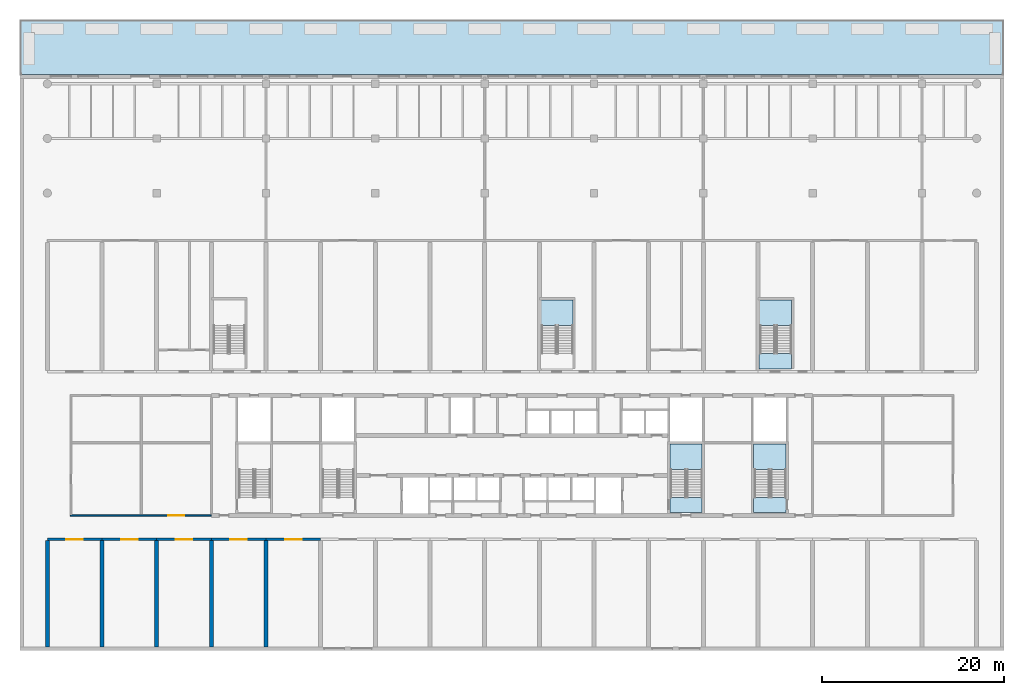
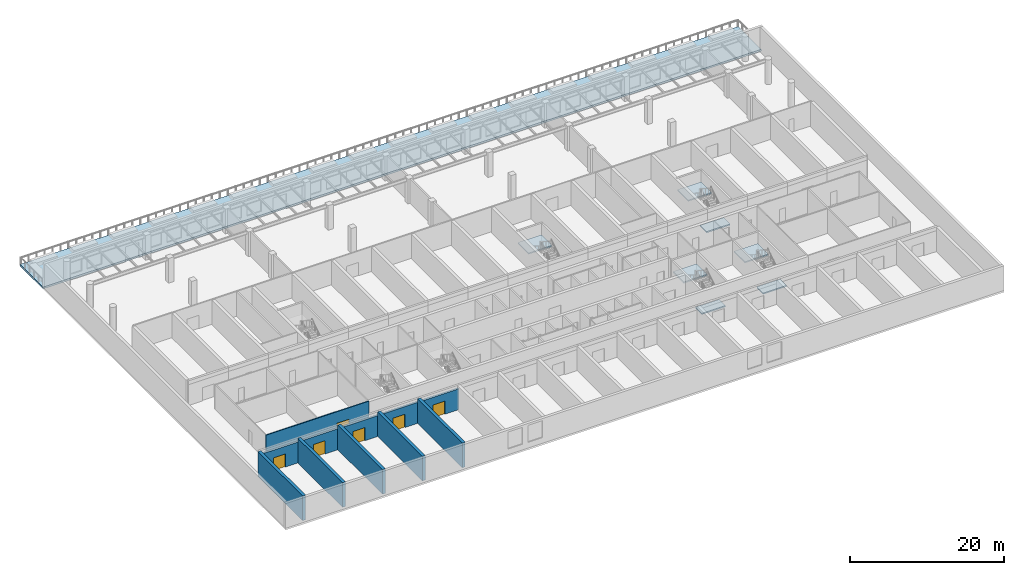
# One storey, part 2 of 15: 11 walls, 8 slabs, 6 doors, 6 openings, 4 elements without a shape of their own.
"""IFC4 building model written with IfcOpenShell, lengths in metres."""

from ifc_helpers import new_model, si_unit, direction, frame, frame_2d, origin, place, context, subcontext, project, spatial, polyline, rectangle, outline, extrude, source, transform, mapped, material, layer, layer_set, type_object, element, fill, aggregate, save


model = new_model("IFC4")

# Units and contexts
model_context = context("Model", 3, precision=1e-05, world=origin(), true_north=direction((0.0, 1.0)))
body_context = subcontext(model_context, "Body", "Model", "MODEL_VIEW")
ifc_project = project(units=[si_unit("LENGTHUNIT", "METRE"), si_unit("AREAUNIT", "SQUARE_METRE"), si_unit("VOLUMEUNIT", "CUBIC_METRE"), si_unit("PLANEANGLEUNIT", "RADIAN"), si_unit("MASSUNIT", "GRAM", prefix="KILO")], contexts=[model_context])

# Site, building, storey
site_placement = place(None, origin())
site = spatial("IfcSite", under=ifc_project, at=site_placement, CompositionType="ELEMENT")
building_placement = place(site_placement, origin())
building = spatial("IfcBuilding", under=site, at=building_placement, Name="Poui Terraces", CompositionType="ELEMENT")
storey_placement = place(building_placement, frame((0.0, 0.0, 10.800048828125)))
storey = spatial("IfcBuildingStorey", under=building, at=storey_placement, Name="L02", CompositionType="ELEMENT", Elevation=10.800048828125)

# Stair, slabs
ifc_material_1 = material(Name="Concrete 80 MPa", Category="concrete")
stair_type = type_object("IfcStairType", Name="EXIT STAIR 1650 80 MPA", PredefinedType="HALF_TURN_STAIR", material=ifc_material_1)
stair_1_placement = place(storey_placement, origin())
stair_1 = element("IfcStair", 1, at=stair_1_placement, inside=storey, type_object=stair_type, Name="L02 CORE STAIR EAST", PredefinedType="HALF_TURN_STAIR")
ifc_layer_1 = layer(ifc_material_1, 0.199951171875)
ifc_layer_set_1 = layer_set([ifc_layer_1], Name="Concrete 80 MPa")
slab_type_1 = type_object("IfcSlabType", Name="STAIR LANDING 200 80 MPA", PredefinedType="LANDING", material=ifc_layer_set_1)
slab_1_placement = place(storey_placement, frame((0.0, 0.0, 1.89990234375)))
slab_1 = element("IfcSlab", 2, at=slab_1_placement, type_object=slab_type_1, Name="ST-CE landing 1", PredefinedType="LANDING", context=body_context, shape_type="SweptSolid", body=[
    extrude(outline(polyline([(68.324951171875, 19.679931640625), (71.875, 19.679931640625), (71.875, 22.47509765625), (68.324951171875, 22.47509765625), (68.324951171875, 19.679931640625)])), origin(), (0.0, 0.0, 1.0), 0.199951171875),
])
slab_2_placement = place(storey_placement, frame((0.0, 0.0, -0.2001953125)))
slab_2 = element("IfcSlab", 3, at=slab_2_placement, type_object=slab_type_1, Name="ST-CE landing 2", PredefinedType="LANDING", context=body_context, shape_type="SweptSolid", body=[
    extrude(outline(polyline([(68.324951171875, 14.949951171875), (71.875, 14.949951171875), (71.875, 16.60009765625), (68.324951171875, 16.60009765625), (68.324951171875, 14.949951171875)])), origin(), (0.0, 0.0, 1.0), 0.2001953125),
])
aggregate(stair_1, [slab_1, slab_2])

stair_2_placement = place(storey_placement, origin())
stair_2 = element("IfcStair", 4, at=stair_2_placement, inside=storey, type_object=stair_type, Name="L02 TIP STAIR EAST", PredefinedType="HALF_TURN_STAIR")
slab_3_placement = place(storey_placement, frame((0.0, 0.0, 1.89990234375)))
slab_3 = element("IfcSlab", 5, at=slab_3_placement, type_object=slab_type_1, Name="ST-E landing 1", PredefinedType="LANDING", context=body_context, shape_type="SweptSolid", body=[
    extrude(outline(polyline([(77.52490234375, 19.679931640625), (81.074951171875, 19.679931640625), (81.074951171875, 22.47509765625), (77.52490234375, 22.47509765625), (77.52490234375, 19.679931640625)])), origin(), (0.0, 0.0, 1.0), 0.199951171875),
])
slab_4_placement = place(storey_placement, frame((0.0, 0.0, -0.2001953125)))
slab_4 = element("IfcSlab", 6, at=slab_4_placement, type_object=slab_type_1, Name="ST-E landing 2", PredefinedType="LANDING", context=body_context, shape_type="SweptSolid", body=[
    extrude(outline(polyline([(77.52490234375, 14.949951171875), (81.074951171875, 14.949951171875), (81.074951171875, 16.60009765625), (77.52490234375, 16.60009765625), (77.52490234375, 14.949951171875)])), origin(), (0.0, 0.0, 1.0), 0.2001953125),
])
aggregate(stair_2, [slab_3, slab_4])

stair_3_placement = place(storey_placement, origin())
stair_3 = element("IfcStair", 7, at=stair_3_placement, inside=storey, type_object=stair_type, Name="L02 PODIUM STAIR 2", PredefinedType="HALF_TURN_STAIR")
slab_5_placement = place(storey_placement, frame((0.0, 0.0, 1.89990234375)))
slab_5 = element("IfcSlab", 8, at=slab_5_placement, type_object=slab_type_1, Name="ST-N2 landing 1", PredefinedType="LANDING", context=body_context, shape_type="SweptSolid", body=[
    extrude(outline(polyline([(78.125, 35.47998046875), (81.675048828125, 35.47998046875), (81.675048828125, 38.27490234375), (78.125, 38.27490234375), (78.125, 35.47998046875)])), origin(), (0.0, 0.0, 1.0), 0.199951171875),
])
slab_6_placement = place(storey_placement, frame((0.0, 0.0, -0.2001953125)))
slab_6 = element("IfcSlab", 9, at=slab_6_placement, type_object=slab_type_1, Name="ST-N2 landing 2", PredefinedType="LANDING", context=body_context, shape_type="SweptSolid", body=[
    extrude(outline(polyline([(78.125, 30.699951171875), (81.675048828125, 30.699951171875), (81.675048828125, 32.39990234375), (78.125, 32.39990234375), (78.125, 30.699951171875)])), origin(), (0.0, 0.0, 1.0), 0.2001953125),
])
aggregate(stair_3, [slab_5, slab_6])

# Stair, slab
stair_4_placement = place(storey_placement, origin())
stair_4 = element("IfcStair", 10, at=stair_4_placement, inside=storey, type_object=stair_type, Name="L02 PODIUM STAIR 3", PredefinedType="HALF_TURN_STAIR")
slab_7_placement = place(storey_placement, frame((0.0, 0.0, 1.89990234375)))
slab_7 = element("IfcSlab", 11, at=slab_7_placement, type_object=slab_type_1, Name="ST-N3 landing 1", PredefinedType="LANDING", context=body_context, shape_type="SweptSolid", body=[
    extrude(outline(polyline([(54.125, 35.47998046875), (57.675048828125, 35.47998046875), (57.675048828125, 38.27490234375), (54.125, 38.27490234375), (54.125, 35.47998046875)])), origin(), (0.0, 0.0, 1.0), 0.199951171875),
])
aggregate(stair_4, [slab_7])

# Slab
ifc_material_2 = material(Name="Concrete 40 MPa", Category="concrete")
ifc_layer_2 = layer(ifc_material_2, 0.280029296875)
ifc_layer_set_2 = layer_set([ifc_layer_2], Name="Concrete 40 MPa")
slab_type_2 = type_object("IfcSlabType", Name="TERRACE SLAB 280", PredefinedType="FLOOR", material=ifc_layer_set_2)
shared_shape = source(origin(), body_context, "Body", "SweptSolid", [
    extrude(outline(polyline([(0.0, 0.0), (0.0, -6.0), (108.0, -6.0), (108.0, 0.0), (0.0, 0.0)])), origin(), (0.0, 0.0, 1.0), 0.2802734375),
])
slab_8_placement = place(storey_placement, frame((-3.0, 69.0, -0.2802734375)))
element("IfcSlab", 12, at=slab_8_placement, inside=storey, type_object=slab_type_2, Name="TERRACE SLAB", PredefinedType="FLOOR", context=body_context, shape_type="MappedRepresentation", body=[
    mapped(shared_shape, transform((0.0, 0.0, 0.0))),
])

# Wall, opening, door
ifc_material_3 = material(Name="Fire-rated plasterboard wall")
ifc_layer_3 = layer(ifc_material_3, 0.14990234375)
ifc_layer_set_3 = layer_set([ifc_layer_3], Name="Fire-rated plasterboard wall")
wall_type_1 = type_object("IfcWallType", Name="CORRIDOR WALL 150", PredefinedType="PARTITIONING", material=ifc_layer_set_3)
wall_1_placement = place(storey_placement, frame((2.52490234375, 14.60009765625, 0.0), z_axis=(0.0, 0.0, 1.0), x_axis=(1.0, 0.0, 0.0)))
wall_1 = element("IfcWall", 13, at=wall_1_placement, inside=storey, type_object=wall_type_1, Name="CORRIDOR WALL 150", PredefinedType="PARTITIONING", context=body_context, shape_type="SweptSolid", body=[
    extrude(rectangle(XDim=15.465087890625, YDim=0.14990234375, at=frame_2d((7.732421875, 0.0))), origin(), (0.0, 0.0, 1.0), 3.919921875),
])
opening_1_placement = place(wall_1_placement, frame((10.72509765625, 0.0, 0.0)))
opening_1 = element("IfcOpeningElement", 14, at=opening_1_placement, cuts=wall_1, Name="Opening DD180", PredefinedType="OPENING", context=body_context, shape_type="SweptSolid", body=[
    extrude(rectangle(XDim=1.800048828125, YDim=2.10009765625, at=frame_2d((0.89990234375, 1.050048828125))), frame((0.0, 0.0849609375, 0.0), z_axis=(0.0, -1.0, 0.0), x_axis=(1.0, 0.0, 0.0)), (0.0, 0.0, 1.0), 0.169921875),
])
ifc_material_4 = material(Name="Steel fire door", Category="steel")
door_type = type_object("IfcDoorType", Name="DOUBLE INTERNAL DOOR 1800 X 2100", OperationType="DOUBLE_DOOR_SINGLE_SWING", PredefinedType="DOOR", material=ifc_material_4)
door_1_placement = place(opening_1_placement, frame((1.800048828125, 0.0, 0.0), z_axis=(0.0, 0.0, 1.0), x_axis=(-1.0, 0.0, 0.0)))
door_1 = element("IfcDoor", 15, at=door_1_placement, inside=storey, type_object=door_type, Name="DOUBLE INTERNAL DOOR 043", OperationType="DOUBLE_DOOR_SINGLE_SWING", OverallHeight=2.10009765625, OverallWidth=1.800048828125, PredefinedType="DOOR", context=body_context, shape_type="SweptSolid", body=[
    extrude(rectangle(XDim=1.800048828125, YDim=2.10009765625, at=frame_2d((0.89990234375, 1.050048828125))), frame((0.0, 0.02490234375, 0.0), z_axis=(0.0, -1.0, 0.0), x_axis=(1.0, 0.0, 0.0)), (0.0, 0.0, 1.0), 0.050048828125),
])
fill(opening_1, door_1)

ifc_layer_4 = layer(ifc_material_1, 0.300048828125)
ifc_layer_set_4 = layer_set([ifc_layer_4], Name="Concrete 80 MPa")
wall_type_2 = type_object("IfcWallType", Name="CORRIDOR WALL 300 80MPa", PredefinedType="SHEAR", material=ifc_layer_set_4)
wall_2_placement = place(storey_placement, frame((0.0, 12.0, 0.0), z_axis=(0.0, 0.0, 1.0), x_axis=(1.0, 0.0, 0.0)))
wall_2 = element("IfcWall", 16, at=wall_2_placement, inside=storey, type_object=wall_type_2, Name="CORRIDOR WALL LINE B BAY 1", PredefinedType="SHEAR", context=body_context, shape_type="SweptSolid", body=[
    extrude(rectangle(XDim=6.0, YDim=0.300048828125, at=frame_2d((3.0, 0.0))), origin(), (0.0, 0.0, 1.0), 3.320068359375),
])
opening_2_placement = place(wall_2_placement, frame((2.10009765625, 0.0, 0.0)))
opening_2 = element("IfcOpeningElement", 17, at=opening_2_placement, cuts=wall_2, Name="Opening DD180", PredefinedType="OPENING", context=body_context, shape_type="SweptSolid", body=[
    extrude(rectangle(XDim=1.800048828125, YDim=2.10009765625, at=frame_2d((0.89990234375, 1.050048828125))), frame((0.0, 0.16015625, 0.0), z_axis=(0.0, -1.0, 0.0), x_axis=(1.0, 0.0, 0.0)), (0.0, 0.0, 1.0), 0.320068359375),
])
door_2_placement = place(opening_2_placement, origin())
door_2 = element("IfcDoor", 18, at=door_2_placement, inside=storey, type_object=door_type, Name="DOUBLE INTERNAL DOOR 041", OperationType="DOUBLE_DOOR_SINGLE_SWING", OverallHeight=2.10009765625, OverallWidth=1.800048828125, PredefinedType="DOOR", context=body_context, shape_type="SweptSolid", body=[
    extrude(rectangle(XDim=1.800048828125, YDim=2.10009765625, at=frame_2d((0.89990234375, 1.050048828125))), frame((0.0, 0.02490234375, 0.0), z_axis=(0.0, -1.0, 0.0), x_axis=(1.0, 0.0, 0.0)), (0.0, 0.0, 1.0), 0.050048828125),
])
fill(opening_2, door_2)

wall_3_placement = place(storey_placement, frame((6.0, 12.0, 0.0), z_axis=(0.0, 0.0, 1.0), x_axis=(1.0, 0.0, 0.0)))
wall_3 = element("IfcWall", 19, at=wall_3_placement, inside=storey, type_object=wall_type_2, Name="CORRIDOR WALL LINE B BAY 2", PredefinedType="SHEAR", context=body_context, shape_type="SweptSolid", body=[
    extrude(rectangle(XDim=6.0, YDim=0.300048828125, at=frame_2d((3.0, 0.0))), origin(), (0.0, 0.0, 1.0), 3.320068359375),
])
opening_3_placement = place(wall_3_placement, frame((2.10009765625, 0.0, 0.0)))
opening_3 = element("IfcOpeningElement", 20, at=opening_3_placement, cuts=wall_3, Name="Opening DD180", PredefinedType="OPENING", context=body_context, shape_type="SweptSolid", body=[
    extrude(rectangle(XDim=1.800048828125, YDim=2.10009765625, at=frame_2d((0.89990234375, 1.050048828125))), frame((0.0, 0.16015625, 0.0), z_axis=(0.0, -1.0, 0.0), x_axis=(1.0, 0.0, 0.0)), (0.0, 0.0, 1.0), 0.320068359375),
])
door_3_placement = place(opening_3_placement, origin())
door_3 = element("IfcDoor", 21, at=door_3_placement, inside=storey, type_object=door_type, Name="DOUBLE INTERNAL DOOR 042", OperationType="DOUBLE_DOOR_SINGLE_SWING", OverallHeight=2.10009765625, OverallWidth=1.800048828125, PredefinedType="DOOR", context=body_context, shape_type="SweptSolid", body=[
    extrude(rectangle(XDim=1.800048828125, YDim=2.10009765625, at=frame_2d((0.89990234375, 1.050048828125))), frame((0.0, 0.02490234375, 0.0), z_axis=(0.0, -1.0, 0.0), x_axis=(1.0, 0.0, 0.0)), (0.0, 0.0, 1.0), 0.050048828125),
])
fill(opening_3, door_3)

wall_4_placement = place(storey_placement, frame((12.0, 12.0, 0.0), z_axis=(0.0, 0.0, 1.0), x_axis=(1.0, 0.0, 0.0)))
wall_4 = element("IfcWall", 22, at=wall_4_placement, inside=storey, type_object=wall_type_2, Name="CORRIDOR WALL LINE B BAY 3", PredefinedType="SHEAR", context=body_context, shape_type="SweptSolid", body=[
    extrude(rectangle(XDim=6.0, YDim=0.300048828125, at=frame_2d((3.0, 0.0))), origin(), (0.0, 0.0, 1.0), 3.320068359375),
])
opening_4_placement = place(wall_4_placement, frame((2.10009765625, 0.0, 0.0)))
opening_4 = element("IfcOpeningElement", 23, at=opening_4_placement, cuts=wall_4, Name="Opening DD180", PredefinedType="OPENING", context=body_context, shape_type="SweptSolid", body=[
    extrude(rectangle(XDim=1.800048828125, YDim=2.10009765625, at=frame_2d((0.89990234375, 1.050048828125))), frame((0.0, 0.16015625, 0.0), z_axis=(0.0, -1.0, 0.0), x_axis=(1.0, 0.0, 0.0)), (0.0, 0.0, 1.0), 0.320068359375),
])
door_4_placement = place(opening_4_placement, origin())
door_4 = element("IfcDoor", 24, at=door_4_placement, inside=storey, type_object=door_type, Name="DOUBLE INTERNAL DOOR 044", OperationType="DOUBLE_DOOR_SINGLE_SWING", OverallHeight=2.10009765625, OverallWidth=1.800048828125, PredefinedType="DOOR", context=body_context, shape_type="SweptSolid", body=[
    extrude(rectangle(XDim=1.800048828125, YDim=2.10009765625, at=frame_2d((0.89990234375, 1.050048828125))), frame((0.0, 0.02490234375, 0.0), z_axis=(0.0, -1.0, 0.0), x_axis=(1.0, 0.0, 0.0)), (0.0, 0.0, 1.0), 0.050048828125),
])
fill(opening_4, door_4)

wall_5_placement = place(storey_placement, frame((18.0, 12.0, 0.0), z_axis=(0.0, 0.0, 1.0), x_axis=(1.0, 0.0, 0.0)))
wall_5 = element("IfcWall", 25, at=wall_5_placement, inside=storey, type_object=wall_type_2, Name="CORRIDOR WALL LINE B BAY 4", PredefinedType="SHEAR", context=body_context, shape_type="SweptSolid", body=[
    extrude(rectangle(XDim=6.0, YDim=0.300048828125, at=frame_2d((3.0, 0.0))), origin(), (0.0, 0.0, 1.0), 3.320068359375),
])
opening_5_placement = place(wall_5_placement, frame((2.10009765625, 0.0, 0.0)))
opening_5 = element("IfcOpeningElement", 26, at=opening_5_placement, cuts=wall_5, Name="Opening DD180", PredefinedType="OPENING", context=body_context, shape_type="SweptSolid", body=[
    extrude(rectangle(XDim=1.800048828125, YDim=2.10009765625, at=frame_2d((0.89990234375, 1.050048828125))), frame((0.0, 0.16015625, 0.0), z_axis=(0.0, -1.0, 0.0), x_axis=(1.0, 0.0, 0.0)), (0.0, 0.0, 1.0), 0.320068359375),
])
door_5_placement = place(opening_5_placement, origin())
door_5 = element("IfcDoor", 27, at=door_5_placement, inside=storey, type_object=door_type, Name="DOUBLE INTERNAL DOOR 046", OperationType="DOUBLE_DOOR_SINGLE_SWING", OverallHeight=2.10009765625, OverallWidth=1.800048828125, PredefinedType="DOOR", context=body_context, shape_type="SweptSolid", body=[
    extrude(rectangle(XDim=1.800048828125, YDim=2.10009765625, at=frame_2d((0.89990234375, 1.050048828125))), frame((0.0, 0.02490234375, 0.0), z_axis=(0.0, -1.0, 0.0), x_axis=(1.0, 0.0, 0.0)), (0.0, 0.0, 1.0), 0.050048828125),
])
fill(opening_5, door_5)

wall_6_placement = place(storey_placement, frame((24.0, 12.0, 0.0), z_axis=(0.0, 0.0, 1.0), x_axis=(1.0, 0.0, 0.0)))
wall_6 = element("IfcWall", 28, at=wall_6_placement, inside=storey, type_object=wall_type_2, Name="CORRIDOR WALL LINE B BAY 5", PredefinedType="SHEAR", context=body_context, shape_type="SweptSolid", body=[
    extrude(rectangle(XDim=6.0, YDim=0.300048828125, at=frame_2d((3.0, 0.0))), origin(), (0.0, 0.0, 1.0), 3.320068359375),
])
opening_6_placement = place(wall_6_placement, frame((2.10009765625, 0.0, 0.0)))
opening_6 = element("IfcOpeningElement", 29, at=opening_6_placement, cuts=wall_6, Name="Opening DD180", PredefinedType="OPENING", context=body_context, shape_type="SweptSolid", body=[
    extrude(rectangle(XDim=1.800048828125, YDim=2.10009765625, at=frame_2d((0.89990234375, 1.050048828125))), frame((0.0, 0.16015625, 0.0), z_axis=(0.0, -1.0, 0.0), x_axis=(1.0, 0.0, 0.0)), (0.0, 0.0, 1.0), 0.320068359375),
])
door_6_placement = place(opening_6_placement, origin())
door_6 = element("IfcDoor", 30, at=door_6_placement, inside=storey, type_object=door_type, Name="DOUBLE INTERNAL DOOR 047", OperationType="DOUBLE_DOOR_SINGLE_SWING", OverallHeight=2.10009765625, OverallWidth=1.800048828125, PredefinedType="DOOR", context=body_context, shape_type="SweptSolid", body=[
    extrude(rectangle(XDim=1.800048828125, YDim=2.10009765625, at=frame_2d((0.89990234375, 1.050048828125))), frame((0.0, 0.02490234375, 0.0), z_axis=(0.0, -1.0, 0.0), x_axis=(1.0, 0.0, 0.0)), (0.0, 0.0, 1.0), 0.050048828125),
])
fill(opening_6, door_6)

# Walls
ifc_layer_5 = layer(ifc_material_1, 0.449951171875)
ifc_layer_set_5 = layer_set([ifc_layer_5], Name="Concrete 80 MPa")
wall_type_3 = type_object("IfcWallType", Name="CROSS WALL 450 80MPa", PredefinedType="SHEAR", material=ifc_layer_set_5)
for number, where, z_axis, x_axis, name in (
    (31, (0.0, 0.199951171875, 0.0), (0.0, 0.0, 1.0), (0.0, 1.0, 0.0), "CROSS WALL LINE 1 SOUTH"),
    (32, (6.0, 0.199951171875, 0.0), (0.0, 0.0, 1.0), (0.0, 1.0, 0.0), "CROSS WALL LINE 2 SOUTH"),
    (33, (12.0, 0.199951171875, 0.0), (0.0, 0.0, 1.0), (0.0, 1.0, 0.0), "CROSS WALL LINE 3 SOUTH"),
    (34, (18.0, 0.199951171875, 0.0), (0.0, 0.0, 1.0), (0.0, 1.0, 0.0), "CROSS WALL LINE 4 SOUTH"),
    (35, (24.0, 0.199951171875, 0.0), (0.0, 0.0, 1.0), (0.0, 1.0, 0.0), "CROSS WALL LINE 5 SOUTH"),
):
    element("IfcWall", number, at=place(storey_placement, frame(where, z_axis=z_axis, x_axis=x_axis)), inside=storey, type_object=wall_type_3, Name=name, PredefinedType="SHEAR", context=body_context, shape_type="SweptSolid", body=[
        extrude(rectangle(XDim=11.650146484375, YDim=0.449951171875, at=frame_2d((5.8251953125, 0.0))), origin(), (0.0, 0.0, 1.0), 3.919921875),
    ])

save(model, "model.ifc")
